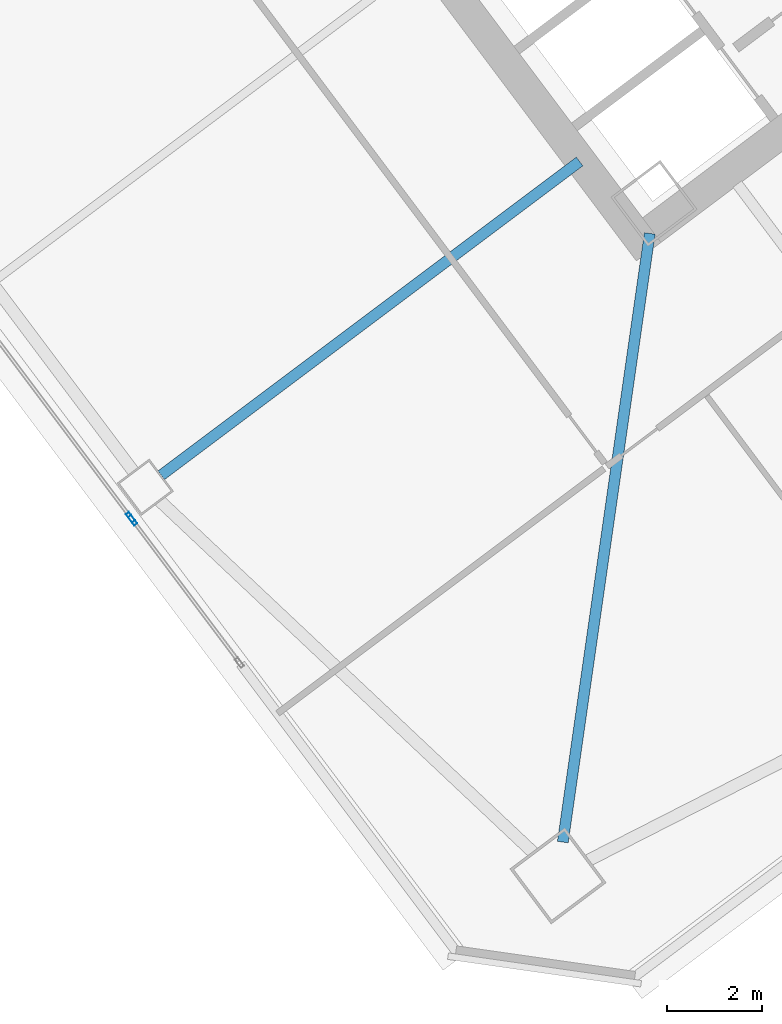
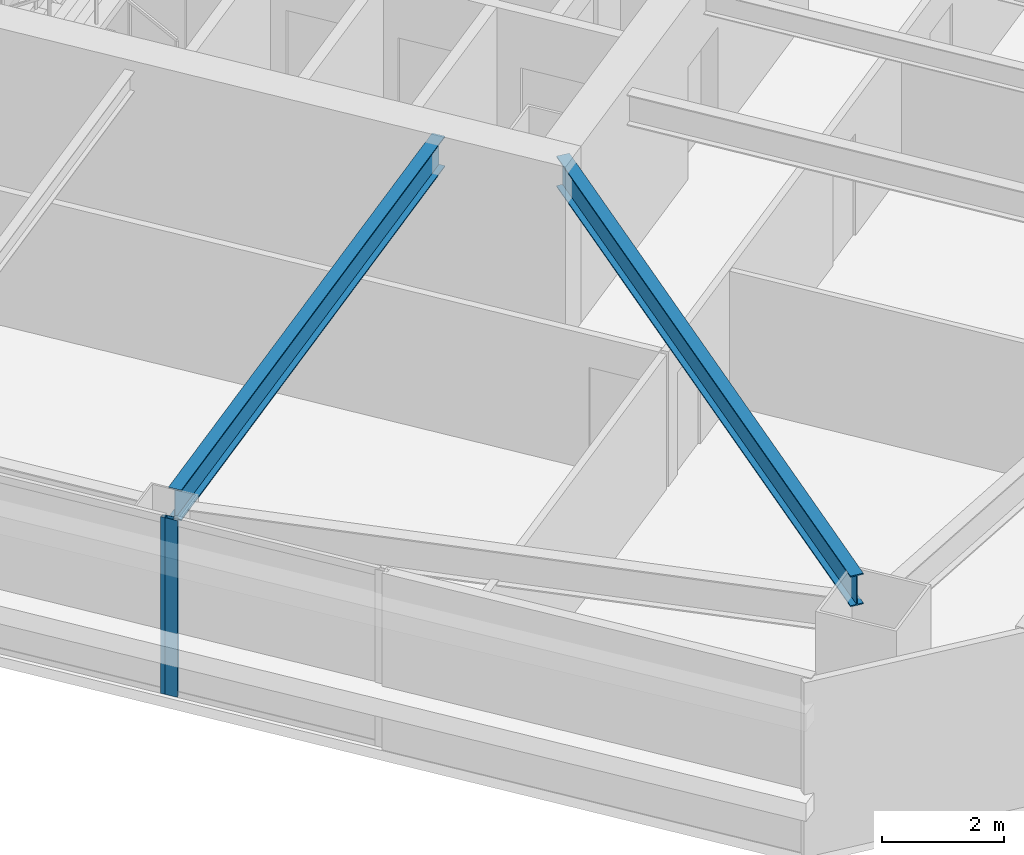
# One storey, part 20 of 44: 2 beams, 2 members, 2 elements without a shape of their own.
"""IFC4 building model written with IfcOpenShell, lengths in metres."""

import ifcopenshell
import ifcopenshell.guid

model = None  # the IFC model being written
_history = None  # IfcOwnerHistory: only IFC2X3 demands one
_inside = {}  # id of a spatial element -> (the spatial element, [elements in it])
_under = {}  # id of a project, library or spatial element -> (it, [spatial elements below it])
_declared = {}  # id of a project -> (the project, [libraries it declares])
_typed = {}  # id of a type object -> (the type object, [elements of that type])
_made_of = {}  # id of a material, layer set ... -> (it, [elements and type objects made of it])


def new_model(schema):
    """Start an empty IFC model of exactly this schema.

    Asked for "IFC4X3", IfcOpenShell would pick the latest addendum, in which some entities
    have other attributes; the version numbers below select the first issue.
    IFC2X3 requires an IfcOwnerHistory on every rooted entity: one is made here for all.
    """
    global model, _history
    if schema == "IFC4X3":
        model = ifcopenshell.file(schema_version=(4, 3, 0, 0))
    else:
        model = ifcopenshell.file(schema=schema)
    _inside.clear()
    _under.clear()
    _declared.clear()
    _typed.clear()
    _made_of.clear()
    _history = None
    if model.schema == "IFC2X3":
        org = make("IfcOrganization", Name="unknown")
        user = make(
            "IfcPersonAndOrganization",
            ThePerson=make("IfcPerson", FamilyName="unknown"),
            TheOrganization=org,
        )
        app = make(
            "IfcApplication",
            ApplicationDeveloper=org,
            Version="unknown",
            ApplicationFullName="unknown",
            ApplicationIdentifier="unknown",
        )
        _history = make(
            "IfcOwnerHistory",
            OwningUser=user,
            OwningApplication=app,
            ChangeAction="ADDED",
            CreationDate=0,
        )
    return model


def make(cls, **values):
    """One entity of the class cls with the attributes given. An attribute that is None is left unset."""
    return model.create_entity(
        cls, **{name: value for name, value in values.items() if value is not None}
    )


def rooted(cls, **values):
    """An entity with a GlobalId (a new one), such as an element, a storey or a relation."""
    return make(cls, GlobalId=ifcopenshell.guid.new(), OwnerHistory=_history, **values)


def si_unit(unit_type, name, prefix=None):
    """IfcSIUnit, for example si_unit("LENGTHUNIT", "METRE", prefix="MILLI")."""
    return make("IfcSIUnit", UnitType=unit_type, Prefix=prefix, Name=name)


def assignment(units):
    """IfcUnitAssignment: the units of a project."""
    return None if units is None else make("IfcUnitAssignment", Units=units)


def point(xyz):
    """IfcCartesianPoint."""
    return None if xyz is None else make("IfcCartesianPoint", Coordinates=xyz)


def direction(xyz):
    """IfcDirection."""
    return None if xyz is None else make("IfcDirection", DirectionRatios=xyz)


def frame(location, z_axis=None, x_axis=None):
    """IfcAxis2Placement3D, a coordinate frame: its origin and axes. An axis left out is left unset."""
    return make(
        "IfcAxis2Placement3D",
        Location=point(location),
        Axis=direction(z_axis),
        RefDirection=direction(x_axis),
    )


def frame_2d(location, x_axis=None):
    """IfcAxis2Placement2D, a coordinate frame in the plane: its origin and x axis."""
    return make(
        "IfcAxis2Placement2D", Location=point(location), RefDirection=direction(x_axis)
    )


def origin():
    """The frame at (0, 0, 0) with its axes left unset."""
    return frame((0.0, 0.0, 0.0))


def origin_2d():
    """The frame at (0, 0) in the plane with its x axis left unset."""
    return frame_2d((0.0, 0.0))


def place(relative_to, where):
    """IfcLocalPlacement: puts the frame where relative to a parent placement (None: the world)."""
    return make(
        "IfcLocalPlacement", PlacementRelTo=relative_to, RelativePlacement=where
    )


def context(
    kind, dimensions, precision=None, world=None, true_north=None, identifier=None
):
    """IfcGeometricRepresentationContext, for example the 3D "Model" context."""
    return make(
        "IfcGeometricRepresentationContext",
        ContextIdentifier=identifier,
        ContextType=kind,
        CoordinateSpaceDimension=dimensions,
        Precision=precision,
        WorldCoordinateSystem=world,
        TrueNorth=true_north,
    )


def subcontext(parent, identifier, kind, view, scale=None):
    """IfcGeometricRepresentationSubContext, for example "Body" below "Model"."""
    return make(
        "IfcGeometricRepresentationSubContext",
        ContextIdentifier=identifier,
        ContextType=kind,
        ParentContext=parent,
        TargetScale=scale,
        TargetView=view,
    )


def project(units=None, contexts=None):
    """IfcProject with its units and contexts."""
    return rooted(
        "IfcProject",
        Name="project",
        RepresentationContexts=contexts,
        UnitsInContext=assignment(units),
    )


def spatial(cls, under=None, at=None, **own):
    """A site, building, storey or space (cls), placed at a placement, below another one or the project."""
    s = rooted(cls, ObjectPlacement=at, **own)
    if under is not None:
        _under.setdefault(under.id(), (under, []))[1].append(s)
    return s


def profile(cls, at=None, kind="AREA", **sizes):
    """A parametric profile (cls). Its sizes go by their IFC names, for example OverallWidth=200.0."""
    return make(cls, ProfileType=kind, Position=at, **sizes)


def hollow_rectangle(**sizes):
    """IfcRectangleHollowProfileDef."""
    return profile("IfcRectangleHollowProfileDef", **sizes)


def i_section(**sizes):
    """IfcIShapeProfileDef."""
    return profile("IfcIShapeProfileDef", **sizes)


def extrude(swept, where, along, depth):
    """IfcExtrudedAreaSolid: the profile swept, set in the frame where, extruded along a direction by depth."""
    return make(
        "IfcExtrudedAreaSolid",
        SweptArea=swept,
        Position=where,
        ExtrudedDirection=direction(along),
        Depth=depth,
    )


def shape(context_of_items, identifier, shape_type, items):
    """IfcShapeRepresentation: the items that make up one representation, for example the "Body"."""
    return make(
        "IfcShapeRepresentation",
        ContextOfItems=context_of_items,
        RepresentationIdentifier=identifier,
        RepresentationType=shape_type,
        Items=items,
    )


def material(Name=None, Category=None):
    """IfcMaterial."""
    return make("IfcMaterial", Name=Name, Category=Category)


def material_profile(
    of_material, cross_section, Name=None, Category=None, Priority=None
):
    """IfcMaterialProfile: a cross section and its material."""
    return make(
        "IfcMaterialProfile",
        Name=Name,
        Material=of_material,
        Profile=cross_section,
        Priority=Priority,
        Category=Category,
    )


def profile_set(profiles, Name=None, composite=None):
    """IfcMaterialProfileSet."""
    return make(
        "IfcMaterialProfileSet",
        Name=Name,
        MaterialProfiles=profiles,
        CompositeProfile=composite,
    )


def made_of(thing, what):
    """Note that an element or type object is made of a material, layer set ...; save() writes the relation."""
    if what is not None:
        _made_of.setdefault(what.id(), (what, []))[1].append(thing)
    return thing


def type_object(cls, material=None, **own):
    """A type object (cls), such as IfcWallType, which elements share."""
    return made_of(rooted(cls, **own), material)


def element(
    cls,
    number,
    at=None,
    inside=None,
    cuts=None,
    type_object=None,
    material=None,
    context=None,
    identifier="Body",
    shape_type=None,
    held_by="IfcProductDefinitionShape",
    body=None,
    shapes=None,
    **own,
):
    """One element of the class cls, such as IfcWall. Its Tag is "e" and its number.

    at: its placement. inside: the storey or other place that contains it. cuts: it is an
    opening in that element (IfcRelVoidsElement). A single representation is given by context,
    identifier, shape_type and body (its items); several are given by shapes. held_by: the class
    of the entity that holds the representations. save() writes the other relations.
    """
    e = rooted(cls, Tag="e%d" % number, ObjectPlacement=at, **own)
    if body is not None:
        shapes = [shape(context, identifier, shape_type, body)]
    if shapes is not None:
        e.Representation = make(held_by, Representations=shapes)
    if inside is not None:
        _inside.setdefault(inside.id(), (inside, []))[1].append(e)
    if cuts is not None:
        rooted(
            "IfcRelVoidsElement", RelatingBuildingElement=cuts, RelatedOpeningElement=e
        )
    if type_object is not None:
        _typed.setdefault(type_object.id(), (type_object, []))[1].append(e)
    return made_of(e, material)


def aggregate(whole, parts):
    """IfcRelAggregates: a whole, such as a stair, and the parts it consists of."""
    return rooted("IfcRelAggregates", RelatingObject=whole, RelatedObjects=parts)


def save(model, path):
    """Write the relations noted so far, then the file.

    IfcRelAggregates (storeys below a building ...), IfcRelContainedInSpatialStructure (elements
    in a storey), IfcRelDefinesByType, IfcRelAssociatesMaterial and IfcRelDeclares: one each for
    every whole, place, type object, material and project.
    """
    for whole, parts in _under.values():
        aggregate(whole, parts)
    for where, things in _inside.values():
        rooted(
            "IfcRelContainedInSpatialStructure",
            RelatedElements=things,
            RelatingStructure=where,
        )
    for kind, things in _typed.values():
        rooted("IfcRelDefinesByType", RelatedObjects=things, RelatingType=kind)
    for what, things in _made_of.values():
        rooted("IfcRelAssociatesMaterial", RelatedObjects=things, RelatingMaterial=what)
    for by, libraries in _declared.values():
        rooted("IfcRelDeclares", RelatingContext=by, RelatedDefinitions=libraries)
    model.write(path)


model = new_model("IFC4")

# Units and contexts
model_context = context("Model", 3, precision=1e-05, world=origin(), true_north=direction((0.0, 1.0)))
body_context = subcontext(model_context, "Body", "Model", "MODEL_VIEW")
ifc_project = project(units=[si_unit("LENGTHUNIT", "METRE"), si_unit("AREAUNIT", "SQUARE_METRE"), si_unit("VOLUMEUNIT", "CUBIC_METRE"), si_unit("PLANEANGLEUNIT", "RADIAN"), si_unit("MASSUNIT", "GRAM", prefix="KILO")], contexts=[model_context])

# Site, building, storey
site_placement = place(None, origin())
site = spatial("IfcSite", under=ifc_project, at=site_placement, CompositionType="ELEMENT")
building_placement = place(site_placement, origin())
building = spatial("IfcBuilding", under=site, at=building_placement, Name="Tashvorn Skyway Center", CompositionType="ELEMENT")
storey_placement = place(building_placement, frame((0.0, 0.0, 74.300048828125)))
storey = spatial("IfcBuildingStorey", under=building, at=storey_placement, Name="L19", CompositionType="ELEMENT", Elevation=74.300048828125)

# Beams
ifc_material_1 = material(Name="Steel ASTM A992 Grade 50", Category="steel")
ifc_material_profile_1 = material_profile(ifc_material_1, i_section(OverallWidth=0.22998046875, OverallDepth=0.616943359375, WebThickness=0.01318359375, FlangeThickness=0.022216796875, at=origin_2d()), Name="W24X94")
ifc_profile_set_1 = profile_set([ifc_material_profile_1], Name="Steel ASTM A992 Grade 50")
beam_type = type_object("IfcBeamType", Name="BM-BEAM-W24X94", PredefinedType="BEAM", material=ifc_profile_set_1)
beam_1_placement = place(storey_placement, frame((110.661865234375, 8.6328125, 3.04150390625), z_axis=(0.141418724841, 0.989949869571, 0.0), x_axis=(-0.989949869571, 0.141418724841, 0.0)))
element("IfcBeam", 1, at=beam_1_placement, inside=storey, type_object=beam_type, Name="Tower 2 L19 Primary Floor Girder MC-SW", PredefinedType="BEAM", context=body_context, shape_type="SweptSolid", body=[
    extrude(i_section(OverallWidth=0.22998046875, OverallDepth=0.616943359375, WebThickness=0.01318359375, FlangeThickness=0.022216796875, at=origin_2d()), origin(), (0.0, 0.0, 1.0), 12.9892578125),
])
beam_2_placement = place(storey_placement, frame((102.176025390625, 16.382080078125, 3.04150390625), z_axis=(0.800007953832, 0.599989394744, 0.0), x_axis=(-0.599989394744, 0.800007953832, 0.0)))
element("IfcBeam", 2, at=beam_2_placement, inside=storey, type_object=beam_type, Name="Tower 2 L19 Primary Floor Girder FC-W2", PredefinedType="BEAM", context=body_context, shape_type="SweptSolid", body=[
    extrude(i_section(OverallWidth=0.22998046875, OverallDepth=0.616943359375, WebThickness=0.01318359375, FlangeThickness=0.022216796875, at=origin_2d()), origin(), (0.0, 0.0, 1.0), 11.050048828125),
])

# Curtain wall, member
ifc_material_2 = material(Name="Thermally broken bronze-anodized aluminium 6063-T6", Category="aluminium")
curtain_wall_type = type_object("IfcCurtainWallType", Name="CW-CW-Z2", PredefinedType="NOTDEFINED", material=ifc_material_2)
curtain_wall_1_placement = place(storey_placement, origin())
curtain_wall_1 = element("IfcCurtainWall", 3, at=curtain_wall_1_placement, inside=storey, type_object=curtain_wall_type, Name="Tower 2 L19 West Unitised Curtain Wall Glazing Group 1", PredefinedType="NOTDEFINED")
ifc_material_profile_2 = material_profile(ifc_material_2, hollow_rectangle(XDim=0.080078125, YDim=0.219970703125, WallThickness=0.0048828125, at=origin_2d()), Name="ALU-MULL-80x220")
ifc_profile_set_2 = profile_set([ifc_material_profile_2], Name="Thermally broken bronze-anodized aluminium 6063-T6")
member_type = type_object("IfcMemberType", Name="CWM-CW-Z2", PredefinedType="MULLION", material=ifc_profile_set_2)
member_1_placement = place(storey_placement, frame((101.575927734375, 15.431884765625, 0.0), z_axis=(0.0, 0.0, 1.0), x_axis=(-0.799999999998, -0.600000000002, 0.0)))
member_1 = element("IfcMember", 4, at=member_1_placement, type_object=member_type, Name="CW-Z2 mullion 2", PredefinedType="MULLION", context=body_context, shape_type="SweptSolid", body=[
    extrude(hollow_rectangle(XDim=0.080078125, YDim=0.219970703125, WallThickness=0.0048828125, at=origin_2d()), origin(), (0.0, 0.0, 1.0), 3.550048828125),
])
aggregate(curtain_wall_1, [member_1])

curtain_wall_2_placement = place(storey_placement, origin())
curtain_wall_2 = element("IfcCurtainWall", 5, at=curtain_wall_2_placement, inside=storey, type_object=curtain_wall_type, Name="Tower 2 L19 West Unitised Curtain Wall Glazing Group 2", PredefinedType="NOTDEFINED")
member_2_placement = place(storey_placement, frame((101.528076171875, 15.49609375, 0.0), z_axis=(0.0, 0.0, 1.0), x_axis=(-0.799999999998, -0.600000000002, 0.0)))
member_2 = element("IfcMember", 6, at=member_2_placement, type_object=member_type, Name="CW-Z2 mullion 1", PredefinedType="MULLION", context=body_context, shape_type="SweptSolid", body=[
    extrude(hollow_rectangle(XDim=0.080078125, YDim=0.219970703125, WallThickness=0.0048828125, at=origin_2d()), origin(), (0.0, 0.0, 1.0), 3.550048828125),
])
aggregate(curtain_wall_2, [member_2])

save(model, "model.ifc")
